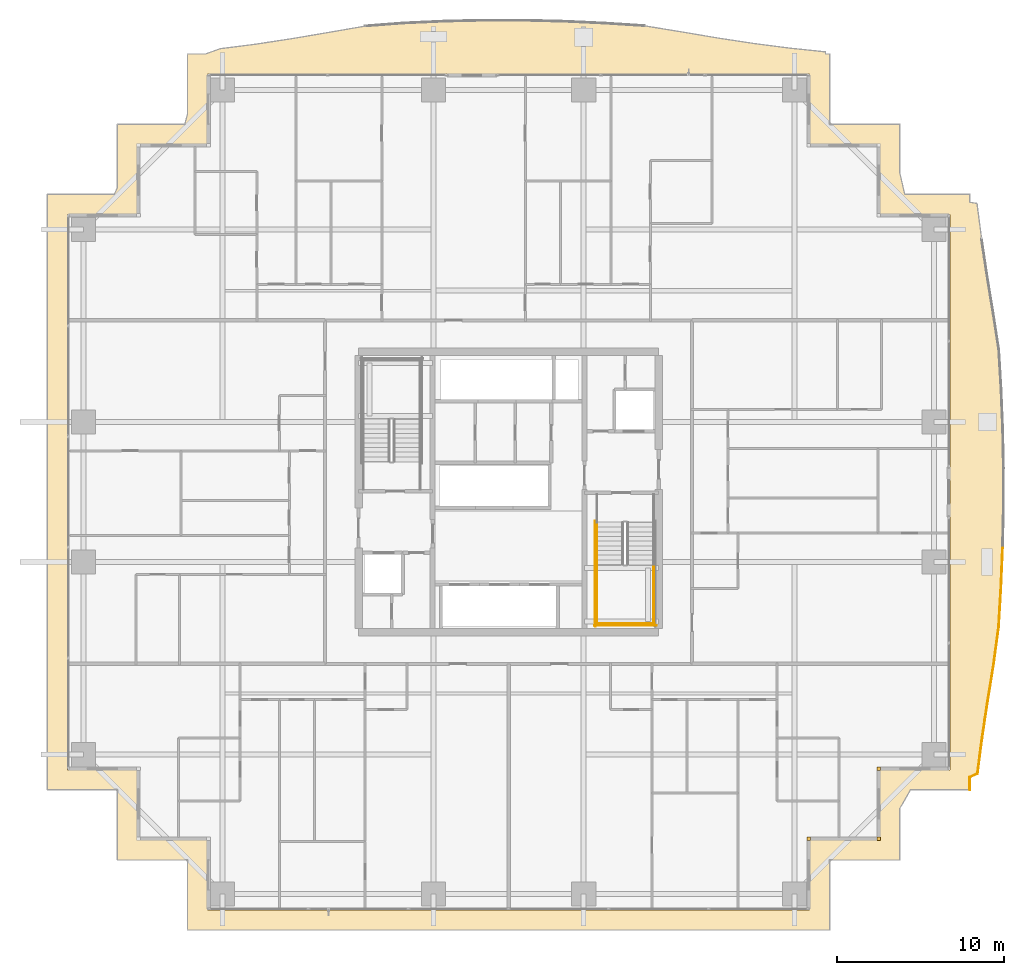
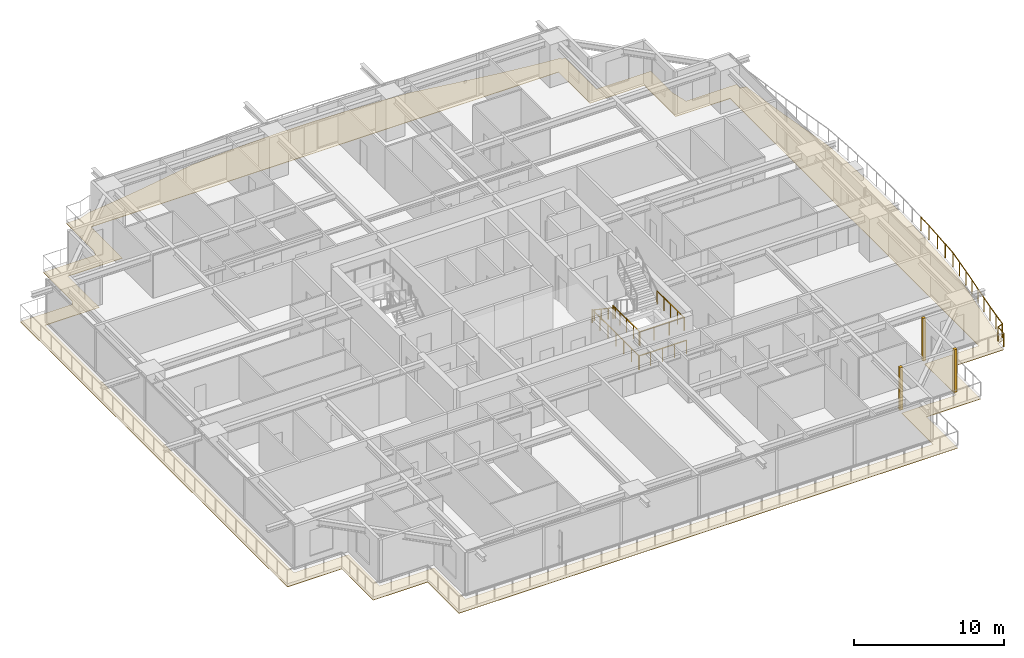
# One storey, part 37 of 39: 7 railings, 4 coverings.
"""IFC4 building model written with IfcOpenShell, lengths in metres."""

from ifc_helpers import new_model, si_unit, direction, frame, origin, origin_2d, place, context, subcontext, project, spatial, polyline, rectangle, circle, outline, extrude, source, transform, mapped, material, layer, layer_set, type_object, element, save


model = new_model("IFC4")

# Units and contexts
model_context = context("Model", 3, precision=1e-05, world=origin(), true_north=direction((0.0, 1.0)))
body_context = subcontext(model_context, "Body", "Model", "MODEL_VIEW")
ifc_project = project(units=[si_unit("LENGTHUNIT", "METRE"), si_unit("AREAUNIT", "SQUARE_METRE"), si_unit("VOLUMEUNIT", "CUBIC_METRE"), si_unit("PLANEANGLEUNIT", "RADIAN"), si_unit("MASSUNIT", "GRAM", prefix="KILO")], contexts=[model_context])

# Site, building, storey
site_placement = place(None, origin())
site = spatial("IfcSite", under=ifc_project, at=site_placement, CompositionType="ELEMENT")
building_placement = place(site_placement, origin())
building = spatial("IfcBuilding", under=site, at=building_placement, Name="Serunith Strait Residences", CompositionType="ELEMENT")
storey_placement = place(building_placement, frame((0.0, 0.0, 97.949951171875)))
storey = spatial("IfcBuildingStorey", under=building, at=storey_placement, Name="L24", CompositionType="ELEMENT", Elevation=97.949951171875)

# Covering
ifc_material_1 = material(Name="Golden Teak Exterior Timber Boarding", Category="wood")
ifc_layer_1 = layer(ifc_material_1, 0.034912109375, Name="Golden Teak Exterior Timber Boarding")
ifc_layer_set_1 = layer_set([ifc_layer_1], Name="Golden Teak Exterior Timber Boarding")
covering_type_1 = type_object("IfcCoveringType", Name="COV-TEAK-SOFFIT", PredefinedType="CEILING", material=ifc_layer_set_1)
covering_placement = place(storey_placement, frame((0.0, 0.0, -0.324951171875)))
element("IfcCovering", 1, at=covering_placement, inside=storey, type_object=covering_type_1, Name="L24 Golden-Teak Balcony Soffit Lining", PredefinedType="CEILING", context=body_context, shape_type="SweptSolid", body=[
    extrude(outline(polyline([(12.982666015625, 47.260009765625), (13.139892578125, 47.855712890625), (13.139892578125, 51.4599609375), (14.205810546875, 51.4599609375), (15.103515625, 51.78271484375), (17.227783203125, 52.0537109375), (19.371826171875, 52.37939453125), (21.554443359375, 52.75), (23.794677734375, 53.139404296875), (26.148681640625, 53.317138671875), (28.54248046875, 53.42578125), (30.957763671875, 53.480712890625), (33.38037109375, 53.47705078125), (35.79541015625, 53.41650390625), (38.189697265625, 53.305419921875), (40.55322265625, 53.154052734375), (42.808837890625, 52.784912109375), (45.000732421875, 52.415283203125), (47.15234375, 52.087646484375), (49.28173828125, 51.8134765625), (51.40283203125, 51.593017578125), (51.402099609375, 51.4599609375), (51.659912109375, 51.4599609375), (51.659912109375, 47.260009765625), (55.860107421875, 47.260009765625), (55.860107421875, 44.317626953125), (56.150390625, 43.06005859375), (60.06005859375, 43.06005859375), (60.06005859375, 42.573486328125), (60.485107421875, 42.5048828125), (60.76171875, 40.37451171875), (61.085693359375, 38.220703125), (61.444580078125, 36.027587890625), (61.7958984375, 33.773681640625), (61.93505859375, 31.41845703125), (62.03271484375, 29.034912109375), (62.081298828125, 26.633544921875), (62.077880859375, 24.2255859375), (62.02294921875, 21.824462890625), (61.922119140625, 19.44091796875), (61.783935546875, 17.084228515625), (61.47509765625, 14.810791015625), (61.117919921875, 12.60888671875), (60.793212890625, 10.44775390625), (60.5146484375, 8.311767578125), (60.06005859375, 8.1025390625), (60.06005859375, 7.340087890625), (56.489990234375, 7.340087890625), (55.860107421875, 6.23388671875), (55.860107421875, 3.139892578125), (51.659912109375, 3.139892578125), (51.659912109375, -1.06005859375), (13.139892578125, -1.06005859375), (13.139892578125, 3.139892578125), (8.93994140625, 3.139892578125), (8.93994140625, 7.340087890625), (4.739990234375, 7.340087890625), (4.739990234375, 43.06005859375), (8.7587890625, 43.06005859375), (8.93994140625, 43.457763671875), (8.93994140625, 47.260009765625), (12.982666015625, 47.260009765625)]), holes=[polyline([(50.455078125, 0.14501953125), (50.455078125, 4.344970703125), (54.655029296875, 4.344970703125), (54.655029296875, 8.544921875), (58.85498046875, 8.544921875), (58.85498046875, 41.85498046875), (54.655029296875, 41.85498046875), (54.655029296875, 46.054931640625), (50.455078125, 46.054931640625), (50.455078125, 50.2548828125), (14.344970703125, 50.2548828125), (14.344970703125, 46.054931640625), (10.14501953125, 46.054931640625), (10.14501953125, 41.85498046875), (5.945068359375, 41.85498046875), (5.945068359375, 8.544921875), (10.14501953125, 8.544921875), (10.14501953125, 4.344970703125), (14.344970703125, 4.344970703125), (14.344970703125, 0.14501953125), (50.455078125, 0.14501953125)])]), origin(), (0.0, 0.0, 1.0), 0.034912109375),
])

# Railings
ifc_material_2 = material(Name="Stainless Steel & Laminated Glass Balustrade", Category="steel")
railing_type_1 = type_object("IfcRailingType", Name="RLG-BALC-1150", PredefinedType="BALUSTRADE", material=ifc_material_2)
railing_1_placement = place(storey_placement, frame((62.02294921875, 21.824462890625, -0.050048828125)))
element("IfcRailing", 2, at=railing_1_placement, inside=storey, type_object=railing_type_1, Name="L24 Swirling Balcony Perimeter Balustrade 6", PredefinedType="BALUSTRADE", context=body_context, shape_type="SweptSolid", body=[
    extrude(circle(Radius=0.02392578125, at=origin_2d()), frame((0.0, -0.001953125, 1.1259765625), z_axis=(-0.042264771271, -0.999106445335, 0.0), x_axis=(0.999106445335, -0.042264771271, 0.0)), (0.0, 0.0, 1.0), 2.381591796875),
    extrude(circle(Radius=0.02392578125, at=origin_2d()), frame((-0.100830078125, -2.385498046875, 1.1259765625), z_axis=(-0.05853408705, -0.998285410418, 0.0), x_axis=(0.998285410418, -0.05853408705, 0.0)), (0.0, 0.0, 1.0), 2.356689453125),
    extrude(circle(Radius=0.02392578125, at=origin_2d()), frame((-0.2392578125, -4.7421875, 1.1259765625), z_axis=(-0.134609839807, -0.990898678487, 0.0), x_axis=(0.990898678487, -0.134609839807, 0.0)), (0.0, 0.0, 1.0), 2.290283203125),
    extrude(circle(Radius=0.02392578125, at=origin_2d()), frame((-0.548095703125, -7.015625, 1.1259765625), z_axis=(-0.160120156091, -0.987097530953, 0.0), x_axis=(0.987097530953, -0.160120156091, 0.0)), (0.0, 0.0, 1.0), 2.226806640625),
    extrude(circle(Radius=0.02392578125, at=origin_2d()), frame((-0.9052734375, -9.217529296875, 1.1259765625), z_axis=(-0.148580813119, -0.988900268972, 0.0), x_axis=(0.988900268972, -0.148580813119, 0.0)), (0.0, 0.0, 1.0), 2.181396484375),
    extrude(circle(Radius=0.02392578125, at=origin_2d()), frame((-1.22998046875, -11.378662109375, 1.1259765625), z_axis=(-0.129319802652, -0.991602939004, 0.0), x_axis=(0.991602939004, -0.129319802652, 0.0)), (0.0, 0.0, 1.0), 2.150146484375),
    extrude(circle(Radius=0.02392578125, at=origin_2d()), frame((-1.510009765625, -13.513427734375, 1.1259765625), z_axis=(-0.908401524704, -0.418098875764, 0.0), x_axis=(0.418098875764, -0.908401524704, 0.0)), (0.0, 0.0, 1.0), 0.496337890625),
    extrude(circle(Radius=0.02392578125, at=origin_2d()), frame((-1.962890625, -13.723876953125, 1.1259765625), z_axis=(0.0, -1.0, 0.0), x_axis=(1.0, 0.0, 0.0)), (0.0, 0.0, 1.0), 0.758544921875),
    extrude(circle(Radius=0.02099609375, at=origin_2d()), origin(), (0.0, 0.0, 1.0), 1.099853515625),
    extrude(circle(Radius=0.02099609375, at=origin_2d()), frame((-0.05029296875, -1.19189453125, 0.0)), (0.0, 0.0, 1.0), 1.099853515625),
    extrude(circle(Radius=0.02099609375, at=origin_2d()), frame((-0.100830078125, -2.383544921875, 0.0)), (0.0, 0.0, 1.0), 1.099853515625),
    extrude(circle(Radius=0.02099609375, at=origin_2d()), frame((-0.169921875, -3.56201171875, 0.0)), (0.0, 0.0, 1.0), 1.099853515625),
    extrude(circle(Radius=0.02099609375, at=origin_2d()), frame((-0.239013671875, -4.740234375, 0.0)), (0.0, 0.0, 1.0), 1.099853515625),
    extrude(circle(Radius=0.02099609375, at=origin_2d()), frame((-0.3935546875, -5.876953125, 0.0)), (0.0, 0.0, 1.0), 1.099853515625),
    extrude(circle(Radius=0.02099609375, at=origin_2d()), frame((-0.5478515625, -7.013671875, 0.0)), (0.0, 0.0, 1.0), 1.099853515625),
    extrude(circle(Radius=0.02099609375, at=origin_2d()), frame((-0.7265625, -8.11474609375, 0.0)), (0.0, 0.0, 1.0), 1.099853515625),
    extrude(circle(Radius=0.02099609375, at=origin_2d()), frame((-0.905029296875, -9.215576171875, 0.0)), (0.0, 0.0, 1.0), 1.099853515625),
    extrude(circle(Radius=0.02099609375, at=origin_2d()), frame((-1.0673828125, -10.296142578125, 0.0)), (0.0, 0.0, 1.0), 1.099853515625),
    extrude(circle(Radius=0.02099609375, at=origin_2d()), frame((-1.229736328125, -11.376708984375, 0.0)), (0.0, 0.0, 1.0), 1.099853515625),
    extrude(circle(Radius=0.02099609375, at=origin_2d()), frame((-1.369140625, -12.44482421875, 0.0)), (0.0, 0.0, 1.0), 1.099853515625),
    extrude(circle(Radius=0.02099609375, at=origin_2d()), frame((-1.50830078125, -13.5126953125, 0.0)), (0.0, 0.0, 1.0), 1.099853515625),
    extrude(circle(Radius=0.02099609375, at=origin_2d()), frame((-1.962890625, -13.721923828125, 0.0)), (0.0, 0.0, 1.0), 1.099853515625),
    extrude(circle(Radius=0.02099609375, at=origin_2d()), frame((-1.962890625, -14.484375, 0.0)), (0.0, 0.0, 1.0), 1.099853515625),
])
ifc_material_3 = material(Name="Brushed stainless steel 316L", Category="steel")
railing_type_2 = type_object("IfcRailingType", Name="RLG-STAIR-GUARD", PredefinedType="BALUSTRADE", material=ifc_material_3)
for number, where, name in (
    (3, (37.699951171875, 20.85009765625, 1.875), "L24 ST-2 stair guard 3"),
    (4, (41.10009765625, 20.85009765625, 1.875), "L24 ST-2 stair guard 4"),
):
    element("IfcRailing", number, at=place(storey_placement, frame(where)), inside=storey, type_object=railing_type_2, Name=name, PredefinedType="BALUSTRADE", context=body_context, shape_type="SweptSolid", body=[
        extrude(circle(Radius=0.02392578125, at=origin_2d()), frame((0.0, -0.001953125, 1.076171875), z_axis=(0.0, -1.0, 0.0), x_axis=(1.0, 0.0, 0.0)), (0.0, 0.0, 1.0), 3.59619140625),
        extrude(circle(Radius=0.02099609375, at=origin_2d()), origin(), (0.0, 0.0, 1.0), 1.050048828125),
        extrude(circle(Radius=0.02099609375, at=origin_2d()), frame((0.0, -0.89990234375, 0.0)), (0.0, 0.0, 1.0), 1.050048828125),
        extrude(circle(Radius=0.02099609375, at=origin_2d()), frame((0.0, -1.800048828125, 0.0)), (0.0, 0.0, 1.0), 1.050048828125),
        extrude(circle(Radius=0.02099609375, at=origin_2d()), frame((0.0, -2.7001953125, 0.0)), (0.0, 0.0, 1.0), 1.050048828125),
        extrude(circle(Radius=0.02099609375, at=origin_2d()), frame((0.0, -3.60009765625, 0.0)), (0.0, 0.0, 1.0), 1.050048828125),
    ])
railing_2_placement = place(storey_placement, frame((37.64990234375, 17.300048828125, 1.875)))
element("IfcRailing", 5, at=railing_2_placement, inside=storey, type_object=railing_type_2, Name="L24 ST-2 stair guard 5", PredefinedType="BALUSTRADE", context=body_context, shape_type="SweptSolid", body=[
    extrude(circle(Radius=0.02392578125, at=origin_2d()), frame((0.001953125, 0.0, 1.076171875), z_axis=(1.0, 0.0, 0.0), x_axis=(0.0, 1.0, 0.0)), (0.0, 0.0, 1.0), 3.49609375),
    extrude(circle(Radius=0.02099609375, at=origin_2d()), origin(), (0.0, 0.0, 1.0), 1.050048828125),
    extrude(circle(Radius=0.02099609375, at=origin_2d()), frame((1.166748046875, 0.0, 0.0)), (0.0, 0.0, 1.0), 1.050048828125),
    extrude(circle(Radius=0.02099609375, at=origin_2d()), frame((2.333251953125, 0.0, 0.0)), (0.0, 0.0, 1.0), 1.050048828125),
    extrude(circle(Radius=0.02099609375, at=origin_2d()), frame((3.5, 0.0, 0.0)), (0.0, 0.0, 1.0), 1.050048828125),
])
railing_3_placement = place(storey_placement, frame((37.60009765625, 23.469970703125, 0.0)))
element("IfcRailing", 6, at=railing_3_placement, inside=storey, type_object=railing_type_2, Name="L24 ST-2 stair guard 10", PredefinedType="BALUSTRADE", context=body_context, shape_type="SweptSolid", body=[
    extrude(circle(Radius=0.02392578125, at=origin_2d()), frame((0.0, -0.001953125, 1.076171875), z_axis=(0.0, -1.0, 0.0), x_axis=(1.0, 0.0, 0.0)), (0.0, 0.0, 1.0), 6.316162109375),
    extrude(circle(Radius=0.02099609375, at=origin_2d()), origin(), (0.0, 0.0, 1.0), 1.050048828125),
    extrude(circle(Radius=0.02099609375, at=origin_2d()), frame((0.0, -1.05322265625, 0.0)), (0.0, 0.0, 1.0), 1.050048828125),
    extrude(circle(Radius=0.02099609375, at=origin_2d()), frame((0.0, -2.106689453125, 0.0)), (0.0, 0.0, 1.0), 1.050048828125),
    extrude(circle(Radius=0.02099609375, at=origin_2d()), frame((0.0, -3.16015625, 0.0)), (0.0, 0.0, 1.0), 1.050048828125),
    extrude(circle(Radius=0.02099609375, at=origin_2d()), frame((0.0, -4.21337890625, 0.0)), (0.0, 0.0, 1.0), 1.050048828125),
    extrude(circle(Radius=0.02099609375, at=origin_2d()), frame((0.0, -5.2666015625, 0.0)), (0.0, 0.0, 1.0), 1.050048828125),
    extrude(circle(Radius=0.02099609375, at=origin_2d()), frame((0.0, -6.320068359375, 0.0)), (0.0, 0.0, 1.0), 1.050048828125),
])
railing_4_placement = place(storey_placement, frame((37.550048828125, 17.199951171875, 0.0)))
element("IfcRailing", 7, at=railing_4_placement, inside=storey, type_object=railing_type_2, Name="L24 ST-2 stair guard 12", PredefinedType="BALUSTRADE", context=body_context, shape_type="SweptSolid", body=[
    extrude(circle(Radius=0.02392578125, at=origin_2d()), frame((0.001953125, 0.0, 1.076171875), z_axis=(1.0, 0.0, 0.0), x_axis=(0.0, 1.0, 0.0)), (0.0, 0.0, 1.0), 3.696044921875),
    extrude(circle(Radius=0.02099609375, at=origin_2d()), origin(), (0.0, 0.0, 1.0), 1.050048828125),
    extrude(circle(Radius=0.02099609375, at=origin_2d()), frame((0.925048828125, 0.0, 0.0)), (0.0, 0.0, 1.0), 1.050048828125),
    extrude(circle(Radius=0.02099609375, at=origin_2d()), frame((1.85009765625, 0.0, 0.0)), (0.0, 0.0, 1.0), 1.050048828125),
    extrude(circle(Radius=0.02099609375, at=origin_2d()), frame((2.77490234375, 0.0, 0.0)), (0.0, 0.0, 1.0), 1.050048828125),
    extrude(circle(Radius=0.02099609375, at=origin_2d()), frame((3.699951171875, 0.0, 0.0)), (0.0, 0.0, 1.0), 1.050048828125),
])
railing_type_3 = type_object("IfcRailingType", Name="RLG-STAIR-HR", PredefinedType="HANDRAIL", material=ifc_material_3)
railing_5_placement = place(storey_placement, frame((37.699951171875, 23.3701171875, 0.1875)))
element("IfcRailing", 8, at=railing_5_placement, inside=storey, type_object=railing_type_3, Name="L24 ST-2 stair handrail 1", PredefinedType="HANDRAIL", context=body_context, shape_type="SweptSolid", body=[
    extrude(circle(Radius=0.02392578125, at=origin_2d()), frame((0.0, -0.001708984375, 0.876953125), z_axis=(0.0, -0.830208209119, 0.557453432594), x_axis=(1.0, 0.0, 0.0)), (0.0, 0.0, 1.0), 3.36865234375),
    extrude(circle(Radius=0.02099609375, at=origin_2d()), origin(), (0.0, 0.0, 1.0), 0.849853515625),
    extrude(circle(Radius=0.02099609375, at=origin_2d()), frame((0.0, -0.933349609375, 0.626708984375)), (0.0, 0.0, 1.0), 0.849853515625),
    extrude(circle(Radius=0.02099609375, at=origin_2d()), frame((0.0, -1.86669921875, 1.25341796875)), (0.0, 0.0, 1.0), 0.849853515625),
    extrude(circle(Radius=0.02099609375, at=origin_2d()), frame((0.0, -2.800048828125, 1.880126953125)), (0.0, 0.0, 1.0), 0.849853515625),
])

# Coverings
ifc_material_4 = material(Name="Pale-Champagne Anodised Aluminium", Category="aluminium")
ifc_layer_2 = layer(ifc_material_4, 0.219970703125, Name="Pale-Champagne Anodised Aluminium")
ifc_layer_set_2 = layer_set([ifc_layer_2], Name="Pale-Champagne Anodised Aluminium")
covering_type_2 = type_object("IfcCoveringType", Name="COV-CORN-TRIM", PredefinedType="CLADDING", material=ifc_layer_set_2)
shared_shape = source(origin(), body_context, "Body", "SweptSolid", [
    extrude(rectangle(XDim=0.221923828125, YDim=0.221923828125, at=origin_2d()), origin(), (0.0, 0.0, 1.0), 3.47509765625),
])
for number, where, z_axis, x_axis, name in (
    (9, (50.39990234375, 4.39990234375, 0.0), (0.0, 0.0, 1.0), (1.0, 0.0, 0.0), "L24 Girih Serrated Corner Trim Post 02"),
    (10, (54.60009765625, 4.39990234375, 0.0), (0.0, 0.0, 1.0), (1.0, 0.0, 0.0), "L24 Girih Serrated Corner Trim Post 03"),
    (11, (54.60009765625, 8.60009765625, 0.0), (0.0, 0.0, 1.0), (1.0, 0.0, 0.0), "L24 Girih Serrated Corner Trim Post 04"),
):
    element("IfcCovering", number, at=place(storey_placement, frame(where, z_axis=z_axis, x_axis=x_axis)), inside=storey, type_object=covering_type_2, Name=name, PredefinedType="CLADDING", context=body_context, shape_type="MappedRepresentation", body=[
        mapped(shared_shape, transform((0.0, 0.0, 0.0), scale=1.0)),
    ])

save(model, "model.ifc")
